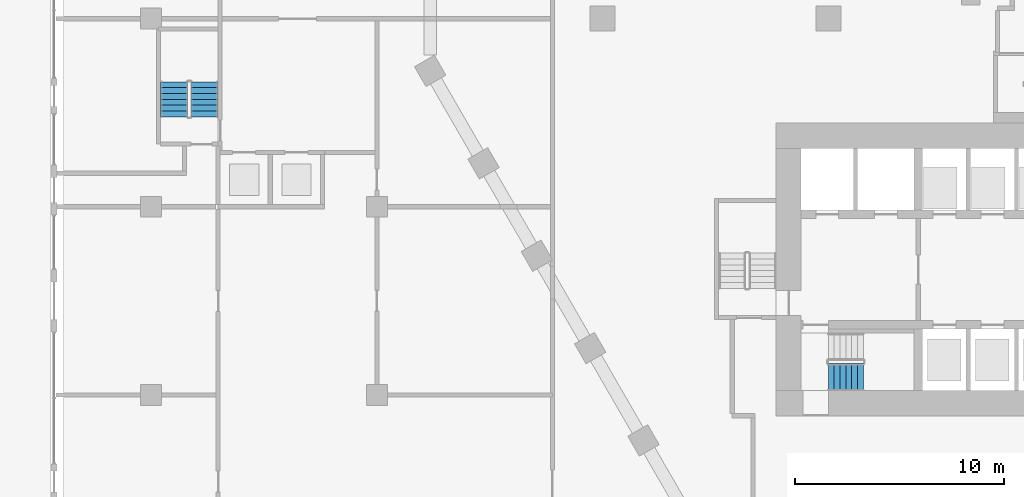
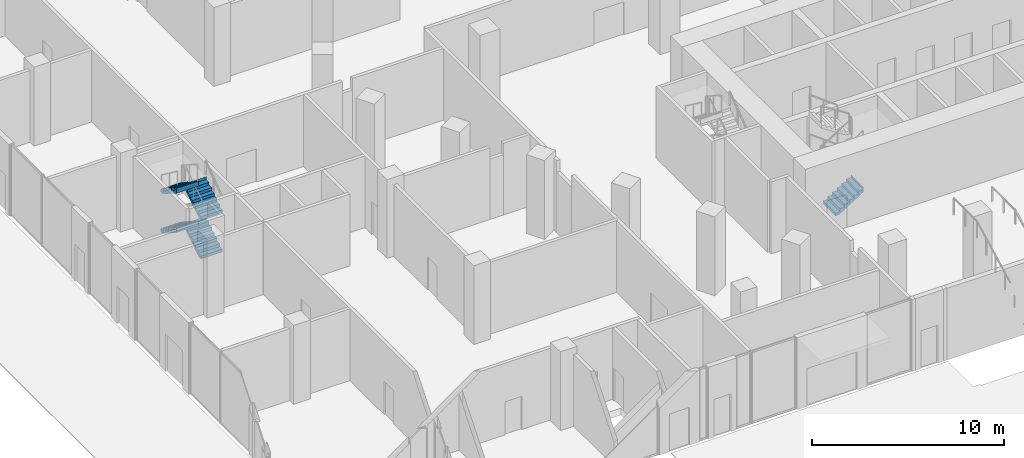
# One storey, part 40 of 57: 5 stair flights, 2 elements without a shape of their own.
"""IFC4 building model written with IfcOpenShell, lengths in metres."""

from ifc_helpers import new_model, si_unit, direction, frame, origin, place, context, subcontext, project, spatial, triangles, material, type_object, element, aggregate, save


model = new_model("IFC4")

# Units and contexts
model_context = context("Model", 3, precision=1e-05, world=origin(), true_north=direction((0.0, 1.0)))
body_context = subcontext(model_context, "Body", "Model", "MODEL_VIEW")
ifc_project = project(units=[si_unit("LENGTHUNIT", "METRE"), si_unit("AREAUNIT", "SQUARE_METRE"), si_unit("VOLUMEUNIT", "CUBIC_METRE"), si_unit("PLANEANGLEUNIT", "RADIAN"), si_unit("MASSUNIT", "GRAM", prefix="KILO")], contexts=[model_context])

# Site, building, storey
site_placement = place(None, origin())
site = spatial("IfcSite", under=ifc_project, at=site_placement, CompositionType="ELEMENT")
building_placement = place(site_placement, origin())
building = spatial("IfcBuilding", under=site, at=building_placement, Name="Beryl Residences", CompositionType="ELEMENT")
storey_placement = place(building_placement, origin())
storey = spatial("IfcBuildingStorey", under=building, at=storey_placement, Name="L00", CompositionType="ELEMENT", Elevation=0.0)

# Stair, stair flights
ifc_material_1 = material(Name="Concrete C40/50", Category="concrete")
stair_type = type_object("IfcStairType", Name="ST1 protected exit stair, half-turn, 1300 mm flights", PredefinedType="HALF_TURN_STAIR", material=ifc_material_1)
stair_1_placement = place(storey_placement, origin())
stair_1 = element("IfcStair", 1, at=stair_1_placement, inside=storey, type_object=stair_type, Name="L00 Podium exit stair 6", PredefinedType="HALF_TURN_STAIR")
ifc_material_2 = material(Name="Concrete C40/50", Category="concrete")
stair_flight_type = type_object("IfcStairFlightType", Name="SF1 stair flight 1300 mm", PredefinedType="STRAIGHT", material=ifc_material_2)
stair_flight_1_placement = place(storey_placement, frame((-40.64990234375, -4.699951171875, 0.0), z_axis=(0.0, 0.0, 1.0), x_axis=(0.0, 1.0, 0.0)))
stair_flight_1 = element("IfcStairFlight", 2, at=stair_flight_1_placement, type_object=stair_flight_type, Name="PS-6 flight 1", NumberOfRisers=7, NumberOfTreads=6, PredefinedType="STRAIGHT", RiserHeight=0.178571429, TreadLength=0.28, context=body_context, shape_type="Tessellation", body=[
    triangles([(0.0, -0.64990234375, 0.0), (0.0, -0.324951171875, 0.0), (0.0, 0.0, 0.0), (0.0, 0.324951171875, 0.0), (0.0, 0.64990234375, 0.0), (0.0, -0.64990234375, 0.178466796875), (0.0, -0.324951171875, 0.178466796875), (0.0, 0.0, 0.178466796875), (0.0, 0.324951171875, 0.178466796875), (0.0, 0.64990234375, 0.178466796875), (0.280029296875, -0.64990234375, 0.178466796875), (0.280029296875, -0.324951171875, 0.178466796875), (0.280029296875, 0.0, 0.178466796875), (0.280029296875, 0.324951171875, 0.178466796875), (0.280029296875, 0.64990234375, 0.178466796875), (0.280029296875, -0.64990234375, 0.357177734375), (0.280029296875, -0.324951171875, 0.357177734375), (0.280029296875, 0.0, 0.357177734375), (0.280029296875, 0.324951171875, 0.357177734375), (0.280029296875, 0.64990234375, 0.357177734375), (0.56005859375, -0.64990234375, 0.357177734375), (0.56005859375, -0.324951171875, 0.357177734375), (0.56005859375, 0.0, 0.357177734375), (0.56005859375, 0.324951171875, 0.357177734375), (0.56005859375, 0.64990234375, 0.357177734375), (0.56005859375, -0.64990234375, 0.53564453125), (0.56005859375, -0.324951171875, 0.53564453125), (0.56005859375, 0.0, 0.53564453125), (0.56005859375, 0.324951171875, 0.53564453125), (0.56005859375, 0.64990234375, 0.53564453125), (0.840087890625, -0.64990234375, 0.53564453125), (0.840087890625, -0.324951171875, 0.53564453125), (0.840087890625, 0.0, 0.53564453125), (0.840087890625, 0.324951171875, 0.53564453125), (0.840087890625, 0.64990234375, 0.53564453125), (0.840087890625, -0.64990234375, 0.71435546875), (0.840087890625, -0.324951171875, 0.71435546875), (0.840087890625, 0.0, 0.71435546875), (0.840087890625, 0.324951171875, 0.71435546875), (0.840087890625, 0.64990234375, 0.71435546875), (1.1201171875, -0.64990234375, 0.71435546875), (1.1201171875, -0.324951171875, 0.71435546875), (1.1201171875, 0.0, 0.71435546875), (1.1201171875, 0.324951171875, 0.71435546875), (1.1201171875, 0.64990234375, 0.71435546875), (1.1201171875, -0.64990234375, 0.892822265625), (1.1201171875, -0.324951171875, 0.892822265625), (1.1201171875, 0.0, 0.892822265625), (1.1201171875, 0.324951171875, 0.892822265625), (1.1201171875, 0.64990234375, 0.892822265625), (1.39990234375, -0.64990234375, 0.892822265625), (1.39990234375, -0.324951171875, 0.892822265625), (1.39990234375, 0.0, 0.892822265625), (1.39990234375, 0.324951171875, 0.892822265625), (1.39990234375, 0.64990234375, 0.892822265625), (1.39990234375, -0.64990234375, 1.071533203125), (1.39990234375, -0.324951171875, 1.071533203125), (1.39990234375, 0.0, 1.071533203125), (1.39990234375, 0.324951171875, 1.071533203125), (1.39990234375, 0.64990234375, 1.071533203125), (1.679931640625, -0.64990234375, 1.071533203125), (1.679931640625, -0.324951171875, 1.071533203125), (1.679931640625, 0.0, 1.071533203125), (1.679931640625, 0.324951171875, 1.071533203125), (1.679931640625, 0.64990234375, 1.071533203125), (1.679931640625, -0.64990234375, 1.25), (1.679931640625, -0.324951171875, 1.25), (1.679931640625, 0.0, 1.25), (1.679931640625, 0.324951171875, 1.25), (1.679931640625, 0.64990234375, 1.25), (1.680908203125, -0.64990234375, 1.25), (1.680908203125, -0.324951171875, 1.25), (1.680908203125, 0.0, 1.25), (1.680908203125, 0.324951171875, 1.25), (1.680908203125, 0.64990234375, 1.25), (1.680908203125, -0.64990234375, 0.928955078125), (1.680908203125, -0.324951171875, 0.928955078125), (1.680908203125, 0.0, 0.928955078125), (1.680908203125, 0.324951171875, 0.928955078125), (1.680908203125, 0.64990234375, 0.928955078125), (0.224365234375, -0.64990234375, 0.0), (0.224365234375, -0.324951171875, 0.0), (0.224365234375, 0.0, 0.0), (0.224365234375, 0.324951171875, 0.0), (0.224365234375, 0.64990234375, 0.0)], [[1, 6, 7], [1, 7, 2], [2, 7, 8], [2, 8, 3], [3, 8, 9], [3, 9, 4], [4, 9, 10], [4, 10, 5], [6, 11, 12], [6, 12, 7], [7, 12, 13], [7, 13, 8], [8, 13, 14], [8, 14, 9], [9, 14, 15], [9, 15, 10], [11, 16, 17], [11, 17, 12], [12, 17, 18], [12, 18, 13], [13, 18, 19], [13, 19, 14], [14, 19, 20], [14, 20, 15], [16, 21, 22], [16, 22, 17], [17, 22, 23], [17, 23, 18], [18, 23, 24], [18, 24, 19], [19, 24, 25], [19, 25, 20], [21, 26, 27], [21, 27, 22], [22, 27, 28], [22, 28, 23], [23, 28, 29], [23, 29, 24], [24, 29, 30], [24, 30, 25], [26, 31, 32], [26, 32, 27], [27, 32, 33], [27, 33, 28], [28, 33, 34], [28, 34, 29], [29, 34, 35], [29, 35, 30], [31, 36, 37], [31, 37, 32], [32, 37, 38], [32, 38, 33], [33, 38, 39], [33, 39, 34], [34, 39, 40], [34, 40, 35], [36, 41, 42], [36, 42, 37], [37, 42, 43], [37, 43, 38], [38, 43, 44], [38, 44, 39], [39, 44, 45], [39, 45, 40], [41, 46, 47], [41, 47, 42], [42, 47, 48], [42, 48, 43], [43, 48, 49], [43, 49, 44], [44, 49, 50], [44, 50, 45], [46, 51, 52], [46, 52, 47], [47, 52, 53], [47, 53, 48], [48, 53, 54], [48, 54, 49], [49, 54, 55], [49, 55, 50], [51, 56, 57], [51, 57, 52], [52, 57, 58], [52, 58, 53], [53, 58, 59], [53, 59, 54], [54, 59, 60], [54, 60, 55], [56, 61, 62], [56, 62, 57], [57, 62, 63], [57, 63, 58], [58, 63, 64], [58, 64, 59], [59, 64, 65], [59, 65, 60], [61, 66, 67], [61, 67, 62], [62, 67, 68], [62, 68, 63], [63, 68, 69], [63, 69, 64], [64, 69, 70], [64, 70, 65], [66, 71, 72], [66, 72, 67], [67, 72, 73], [67, 73, 68], [68, 73, 74], [68, 74, 69], [69, 74, 75], [69, 75, 70], [71, 76, 77], [71, 77, 72], [72, 77, 78], [72, 78, 73], [73, 78, 79], [73, 79, 74], [74, 79, 80], [74, 80, 75], [76, 81, 82], [76, 82, 77], [77, 82, 83], [77, 83, 78], [78, 83, 84], [78, 84, 79], [79, 84, 85], [79, 85, 80], [81, 1, 2], [81, 2, 82], [82, 2, 3], [82, 3, 83], [83, 3, 4], [83, 4, 84], [84, 4, 5], [84, 5, 85], [1, 81, 76], [5, 80, 85], [76, 71, 66], [80, 70, 75], [76, 66, 61], [80, 65, 70], [76, 61, 56], [80, 60, 65], [76, 56, 51], [80, 55, 60], [51, 46, 41], [55, 45, 50], [76, 51, 41], [80, 45, 55], [41, 36, 31], [45, 35, 40], [76, 41, 31], [80, 35, 45], [31, 26, 21], [35, 25, 30], [76, 31, 21], [80, 25, 35], [21, 16, 11], [25, 15, 20], [76, 21, 11], [80, 15, 25], [1, 76, 11], [5, 15, 80], [11, 6, 1], [15, 5, 10]], closed=True),
])
stair_flight_2_placement = place(storey_placement, frame((-42.10009765625, -3.02001953125, 1.25), z_axis=(0.0, 0.0, 1.0), x_axis=(0.0, -1.0, 0.0)))
stair_flight_2 = element("IfcStairFlight", 3, at=stair_flight_2_placement, type_object=stair_flight_type, Name="PS-6 flight 2", NumberOfRisers=7, NumberOfTreads=6, PredefinedType="STRAIGHT", RiserHeight=0.178571429, TreadLength=0.28, context=body_context, shape_type="Tessellation", body=[
    triangles([(0.0, -0.64990234375, 0.0), (0.0, -0.324951171875, 0.0), (0.0, 0.0, 0.0), (0.0, 0.324951171875, 0.0), (0.0, 0.64990234375, 0.0), (0.0, -0.64990234375, 0.178466796875), (0.0, -0.324951171875, 0.178466796875), (0.0, 0.0, 0.178466796875), (0.0, 0.324951171875, 0.178466796875), (0.0, 0.64990234375, 0.178466796875), (0.280029296875, -0.64990234375, 0.178466796875), (0.280029296875, -0.324951171875, 0.178466796875), (0.280029296875, 0.0, 0.178466796875), (0.280029296875, 0.324951171875, 0.178466796875), (0.280029296875, 0.64990234375, 0.178466796875), (0.280029296875, -0.64990234375, 0.357177734375), (0.280029296875, -0.324951171875, 0.357177734375), (0.280029296875, 0.0, 0.357177734375), (0.280029296875, 0.324951171875, 0.357177734375), (0.280029296875, 0.64990234375, 0.357177734375), (0.56005859375, -0.64990234375, 0.357177734375), (0.56005859375, -0.324951171875, 0.357177734375), (0.56005859375, 0.0, 0.357177734375), (0.56005859375, 0.324951171875, 0.357177734375), (0.56005859375, 0.64990234375, 0.357177734375), (0.56005859375, -0.64990234375, 0.53564453125), (0.56005859375, -0.324951171875, 0.53564453125), (0.56005859375, 0.0, 0.53564453125), (0.56005859375, 0.324951171875, 0.53564453125), (0.56005859375, 0.64990234375, 0.53564453125), (0.840087890625, -0.64990234375, 0.53564453125), (0.840087890625, -0.324951171875, 0.53564453125), (0.840087890625, 0.0, 0.53564453125), (0.840087890625, 0.324951171875, 0.53564453125), (0.840087890625, 0.64990234375, 0.53564453125), (0.840087890625, -0.64990234375, 0.71435546875), (0.840087890625, -0.324951171875, 0.71435546875), (0.840087890625, 0.0, 0.71435546875), (0.840087890625, 0.324951171875, 0.71435546875), (0.840087890625, 0.64990234375, 0.71435546875), (1.1201171875, -0.64990234375, 0.71435546875), (1.1201171875, -0.324951171875, 0.71435546875), (1.1201171875, 0.0, 0.71435546875), (1.1201171875, 0.324951171875, 0.71435546875), (1.1201171875, 0.64990234375, 0.71435546875), (1.1201171875, -0.64990234375, 0.892822265625), (1.1201171875, -0.324951171875, 0.892822265625), (1.1201171875, 0.0, 0.892822265625), (1.1201171875, 0.324951171875, 0.892822265625), (1.1201171875, 0.64990234375, 0.892822265625), (1.39990234375, -0.64990234375, 0.892822265625), (1.39990234375, -0.324951171875, 0.892822265625), (1.39990234375, 0.0, 0.892822265625), (1.39990234375, 0.324951171875, 0.892822265625), (1.39990234375, 0.64990234375, 0.892822265625), (1.39990234375, -0.64990234375, 1.071533203125), (1.39990234375, -0.324951171875, 1.071533203125), (1.39990234375, 0.0, 1.071533203125), (1.39990234375, 0.324951171875, 1.071533203125), (1.39990234375, 0.64990234375, 1.071533203125), (1.679931640625, -0.64990234375, 1.071533203125), (1.679931640625, -0.324951171875, 1.071533203125), (1.679931640625, 0.0, 1.071533203125), (1.679931640625, 0.324951171875, 1.071533203125), (1.679931640625, 0.64990234375, 1.071533203125), (1.679931640625, -0.64990234375, 1.25), (1.679931640625, -0.324951171875, 1.25), (1.679931640625, 0.0, 1.25), (1.679931640625, 0.324951171875, 1.25), (1.679931640625, 0.64990234375, 1.25), (1.680908203125, -0.64990234375, 1.25), (1.680908203125, -0.324951171875, 1.25), (1.680908203125, 0.0, 1.25), (1.680908203125, 0.324951171875, 1.25), (1.680908203125, 0.64990234375, 1.25), (1.680908203125, -0.64990234375, 0.928955078125), (1.680908203125, -0.324951171875, 0.928955078125), (1.680908203125, 0.0, 0.928955078125), (1.680908203125, 0.324951171875, 0.928955078125), (1.680908203125, 0.64990234375, 0.928955078125), (0.224365234375, -0.64990234375, 0.0), (0.224365234375, -0.324951171875, 0.0), (0.224365234375, 0.0, 0.0), (0.224365234375, 0.324951171875, 0.0), (0.224365234375, 0.64990234375, 0.0)], [[1, 6, 7], [1, 7, 2], [2, 7, 8], [2, 8, 3], [3, 8, 9], [3, 9, 4], [4, 9, 10], [4, 10, 5], [6, 11, 12], [6, 12, 7], [7, 12, 13], [7, 13, 8], [8, 13, 14], [8, 14, 9], [9, 14, 15], [9, 15, 10], [11, 16, 17], [11, 17, 12], [12, 17, 18], [12, 18, 13], [13, 18, 19], [13, 19, 14], [14, 19, 20], [14, 20, 15], [16, 21, 22], [16, 22, 17], [17, 22, 23], [17, 23, 18], [18, 23, 24], [18, 24, 19], [19, 24, 25], [19, 25, 20], [21, 26, 27], [21, 27, 22], [22, 27, 28], [22, 28, 23], [23, 28, 29], [23, 29, 24], [24, 29, 30], [24, 30, 25], [26, 31, 32], [26, 32, 27], [27, 32, 33], [27, 33, 28], [28, 33, 34], [28, 34, 29], [29, 34, 35], [29, 35, 30], [31, 36, 37], [31, 37, 32], [32, 37, 38], [32, 38, 33], [33, 38, 39], [33, 39, 34], [34, 39, 40], [34, 40, 35], [36, 41, 42], [36, 42, 37], [37, 42, 43], [37, 43, 38], [38, 43, 44], [38, 44, 39], [39, 44, 45], [39, 45, 40], [41, 46, 47], [41, 47, 42], [42, 47, 48], [42, 48, 43], [43, 48, 49], [43, 49, 44], [44, 49, 50], [44, 50, 45], [46, 51, 52], [46, 52, 47], [47, 52, 53], [47, 53, 48], [48, 53, 54], [48, 54, 49], [49, 54, 55], [49, 55, 50], [51, 56, 57], [51, 57, 52], [52, 57, 58], [52, 58, 53], [53, 58, 59], [53, 59, 54], [54, 59, 60], [54, 60, 55], [56, 61, 62], [56, 62, 57], [57, 62, 63], [57, 63, 58], [58, 63, 64], [58, 64, 59], [59, 64, 65], [59, 65, 60], [61, 66, 67], [61, 67, 62], [62, 67, 68], [62, 68, 63], [63, 68, 69], [63, 69, 64], [64, 69, 70], [64, 70, 65], [66, 71, 72], [66, 72, 67], [67, 72, 73], [67, 73, 68], [68, 73, 74], [68, 74, 69], [69, 74, 75], [69, 75, 70], [71, 76, 77], [71, 77, 72], [72, 77, 78], [72, 78, 73], [73, 78, 79], [73, 79, 74], [74, 79, 80], [74, 80, 75], [76, 81, 82], [76, 82, 77], [77, 82, 83], [77, 83, 78], [78, 83, 84], [78, 84, 79], [79, 84, 85], [79, 85, 80], [81, 1, 2], [81, 2, 82], [82, 2, 3], [82, 3, 83], [83, 3, 4], [83, 4, 84], [84, 4, 5], [84, 5, 85], [1, 81, 76], [5, 80, 85], [76, 71, 66], [80, 70, 75], [76, 66, 61], [80, 65, 70], [76, 61, 56], [80, 60, 65], [76, 56, 51], [80, 55, 60], [51, 46, 41], [55, 45, 50], [76, 51, 41], [80, 45, 55], [41, 36, 31], [45, 35, 40], [76, 41, 31], [80, 35, 45], [31, 26, 21], [35, 25, 30], [76, 31, 21], [80, 25, 35], [21, 16, 11], [25, 15, 20], [76, 21, 11], [80, 15, 25], [1, 76, 11], [5, 15, 80], [11, 6, 1], [15, 5, 10]], closed=True),
])
stair_flight_3_placement = place(storey_placement, frame((-40.64990234375, -4.699951171875, 2.5), z_axis=(0.0, 0.0, 1.0), x_axis=(0.0, 1.0, 0.0)))
stair_flight_3 = element("IfcStairFlight", 4, at=stair_flight_3_placement, type_object=stair_flight_type, Name="PS-6 flight 3", NumberOfRisers=7, NumberOfTreads=6, PredefinedType="STRAIGHT", RiserHeight=0.178571429, TreadLength=0.28, context=body_context, shape_type="Tessellation", body=[
    triangles([(0.0, -0.64990234375, 0.0), (0.0, -0.324951171875, 0.0), (0.0, 0.0, 0.0), (0.0, 0.324951171875, 0.0), (0.0, 0.64990234375, 0.0), (0.0, -0.64990234375, 0.178466796875), (0.0, -0.324951171875, 0.178466796875), (0.0, 0.0, 0.178466796875), (0.0, 0.324951171875, 0.178466796875), (0.0, 0.64990234375, 0.178466796875), (0.280029296875, -0.64990234375, 0.178466796875), (0.280029296875, -0.324951171875, 0.178466796875), (0.280029296875, 0.0, 0.178466796875), (0.280029296875, 0.324951171875, 0.178466796875), (0.280029296875, 0.64990234375, 0.178466796875), (0.280029296875, -0.64990234375, 0.357177734375), (0.280029296875, -0.324951171875, 0.357177734375), (0.280029296875, 0.0, 0.357177734375), (0.280029296875, 0.324951171875, 0.357177734375), (0.280029296875, 0.64990234375, 0.357177734375), (0.56005859375, -0.64990234375, 0.357177734375), (0.56005859375, -0.324951171875, 0.357177734375), (0.56005859375, 0.0, 0.357177734375), (0.56005859375, 0.324951171875, 0.357177734375), (0.56005859375, 0.64990234375, 0.357177734375), (0.56005859375, -0.64990234375, 0.53564453125), (0.56005859375, -0.324951171875, 0.53564453125), (0.56005859375, 0.0, 0.53564453125), (0.56005859375, 0.324951171875, 0.53564453125), (0.56005859375, 0.64990234375, 0.53564453125), (0.840087890625, -0.64990234375, 0.53564453125), (0.840087890625, -0.324951171875, 0.53564453125), (0.840087890625, 0.0, 0.53564453125), (0.840087890625, 0.324951171875, 0.53564453125), (0.840087890625, 0.64990234375, 0.53564453125), (0.840087890625, -0.64990234375, 0.71435546875), (0.840087890625, -0.324951171875, 0.71435546875), (0.840087890625, 0.0, 0.71435546875), (0.840087890625, 0.324951171875, 0.71435546875), (0.840087890625, 0.64990234375, 0.71435546875), (1.1201171875, -0.64990234375, 0.71435546875), (1.1201171875, -0.324951171875, 0.71435546875), (1.1201171875, 0.0, 0.71435546875), (1.1201171875, 0.324951171875, 0.71435546875), (1.1201171875, 0.64990234375, 0.71435546875), (1.1201171875, -0.64990234375, 0.892822265625), (1.1201171875, -0.324951171875, 0.892822265625), (1.1201171875, 0.0, 0.892822265625), (1.1201171875, 0.324951171875, 0.892822265625), (1.1201171875, 0.64990234375, 0.892822265625), (1.39990234375, -0.64990234375, 0.892822265625), (1.39990234375, -0.324951171875, 0.892822265625), (1.39990234375, 0.0, 0.892822265625), (1.39990234375, 0.324951171875, 0.892822265625), (1.39990234375, 0.64990234375, 0.892822265625), (1.39990234375, -0.64990234375, 1.071533203125), (1.39990234375, -0.324951171875, 1.071533203125), (1.39990234375, 0.0, 1.071533203125), (1.39990234375, 0.324951171875, 1.071533203125), (1.39990234375, 0.64990234375, 1.071533203125), (1.679931640625, -0.64990234375, 1.071533203125), (1.679931640625, -0.324951171875, 1.071533203125), (1.679931640625, 0.0, 1.071533203125), (1.679931640625, 0.324951171875, 1.071533203125), (1.679931640625, 0.64990234375, 1.071533203125), (1.679931640625, -0.64990234375, 1.25), (1.679931640625, -0.324951171875, 1.25), (1.679931640625, 0.0, 1.25), (1.679931640625, 0.324951171875, 1.25), (1.679931640625, 0.64990234375, 1.25), (1.680908203125, -0.64990234375, 1.25), (1.680908203125, -0.324951171875, 1.25), (1.680908203125, 0.0, 1.25), (1.680908203125, 0.324951171875, 1.25), (1.680908203125, 0.64990234375, 1.25), (1.680908203125, -0.64990234375, 0.928955078125), (1.680908203125, -0.324951171875, 0.928955078125), (1.680908203125, 0.0, 0.928955078125), (1.680908203125, 0.324951171875, 0.928955078125), (1.680908203125, 0.64990234375, 0.928955078125), (0.224365234375, -0.64990234375, 0.0), (0.224365234375, -0.324951171875, 0.0), (0.224365234375, 0.0, 0.0), (0.224365234375, 0.324951171875, 0.0), (0.224365234375, 0.64990234375, 0.0)], [[1, 6, 7], [1, 7, 2], [2, 7, 8], [2, 8, 3], [3, 8, 9], [3, 9, 4], [4, 9, 10], [4, 10, 5], [6, 11, 12], [6, 12, 7], [7, 12, 13], [7, 13, 8], [8, 13, 14], [8, 14, 9], [9, 14, 15], [9, 15, 10], [11, 16, 17], [11, 17, 12], [12, 17, 18], [12, 18, 13], [13, 18, 19], [13, 19, 14], [14, 19, 20], [14, 20, 15], [16, 21, 22], [16, 22, 17], [17, 22, 23], [17, 23, 18], [18, 23, 24], [18, 24, 19], [19, 24, 25], [19, 25, 20], [21, 26, 27], [21, 27, 22], [22, 27, 28], [22, 28, 23], [23, 28, 29], [23, 29, 24], [24, 29, 30], [24, 30, 25], [26, 31, 32], [26, 32, 27], [27, 32, 33], [27, 33, 28], [28, 33, 34], [28, 34, 29], [29, 34, 35], [29, 35, 30], [31, 36, 37], [31, 37, 32], [32, 37, 38], [32, 38, 33], [33, 38, 39], [33, 39, 34], [34, 39, 40], [34, 40, 35], [36, 41, 42], [36, 42, 37], [37, 42, 43], [37, 43, 38], [38, 43, 44], [38, 44, 39], [39, 44, 45], [39, 45, 40], [41, 46, 47], [41, 47, 42], [42, 47, 48], [42, 48, 43], [43, 48, 49], [43, 49, 44], [44, 49, 50], [44, 50, 45], [46, 51, 52], [46, 52, 47], [47, 52, 53], [47, 53, 48], [48, 53, 54], [48, 54, 49], [49, 54, 55], [49, 55, 50], [51, 56, 57], [51, 57, 52], [52, 57, 58], [52, 58, 53], [53, 58, 59], [53, 59, 54], [54, 59, 60], [54, 60, 55], [56, 61, 62], [56, 62, 57], [57, 62, 63], [57, 63, 58], [58, 63, 64], [58, 64, 59], [59, 64, 65], [59, 65, 60], [61, 66, 67], [61, 67, 62], [62, 67, 68], [62, 68, 63], [63, 68, 69], [63, 69, 64], [64, 69, 70], [64, 70, 65], [66, 71, 72], [66, 72, 67], [67, 72, 73], [67, 73, 68], [68, 73, 74], [68, 74, 69], [69, 74, 75], [69, 75, 70], [71, 76, 77], [71, 77, 72], [72, 77, 78], [72, 78, 73], [73, 78, 79], [73, 79, 74], [74, 79, 80], [74, 80, 75], [76, 81, 82], [76, 82, 77], [77, 82, 83], [77, 83, 78], [78, 83, 84], [78, 84, 79], [79, 84, 85], [79, 85, 80], [81, 1, 2], [81, 2, 82], [82, 2, 3], [82, 3, 83], [83, 3, 4], [83, 4, 84], [84, 4, 5], [84, 5, 85], [1, 81, 76], [5, 80, 85], [76, 71, 66], [80, 70, 75], [76, 66, 61], [80, 65, 70], [76, 61, 56], [80, 60, 65], [76, 56, 51], [80, 55, 60], [51, 46, 41], [55, 45, 50], [76, 51, 41], [80, 45, 55], [41, 36, 31], [45, 35, 40], [76, 41, 31], [80, 35, 45], [31, 26, 21], [35, 25, 30], [76, 31, 21], [80, 25, 35], [21, 16, 11], [25, 15, 20], [76, 21, 11], [80, 15, 25], [1, 76, 11], [5, 15, 80], [11, 6, 1], [15, 5, 10]], closed=True),
])
stair_flight_4_placement = place(storey_placement, frame((-42.10009765625, -3.02001953125, 3.75), z_axis=(0.0, 0.0, 1.0), x_axis=(0.0, -1.0, 0.0)))
stair_flight_4 = element("IfcStairFlight", 5, at=stair_flight_4_placement, type_object=stair_flight_type, Name="PS-6 flight 4", NumberOfRisers=7, NumberOfTreads=6, PredefinedType="STRAIGHT", RiserHeight=0.178571429, TreadLength=0.28, context=body_context, shape_type="Tessellation", body=[
    triangles([(0.0, -0.64990234375, 0.0), (0.0, -0.324951171875, 0.0), (0.0, 0.0, 0.0), (0.0, 0.324951171875, 0.0), (0.0, 0.64990234375, 0.0), (0.0, -0.64990234375, 0.178466796875), (0.0, -0.324951171875, 0.178466796875), (0.0, 0.0, 0.178466796875), (0.0, 0.324951171875, 0.178466796875), (0.0, 0.64990234375, 0.178466796875), (0.280029296875, -0.64990234375, 0.178466796875), (0.280029296875, -0.324951171875, 0.178466796875), (0.280029296875, 0.0, 0.178466796875), (0.280029296875, 0.324951171875, 0.178466796875), (0.280029296875, 0.64990234375, 0.178466796875), (0.280029296875, -0.64990234375, 0.357177734375), (0.280029296875, -0.324951171875, 0.357177734375), (0.280029296875, 0.0, 0.357177734375), (0.280029296875, 0.324951171875, 0.357177734375), (0.280029296875, 0.64990234375, 0.357177734375), (0.56005859375, -0.64990234375, 0.357177734375), (0.56005859375, -0.324951171875, 0.357177734375), (0.56005859375, 0.0, 0.357177734375), (0.56005859375, 0.324951171875, 0.357177734375), (0.56005859375, 0.64990234375, 0.357177734375), (0.56005859375, -0.64990234375, 0.53564453125), (0.56005859375, -0.324951171875, 0.53564453125), (0.56005859375, 0.0, 0.53564453125), (0.56005859375, 0.324951171875, 0.53564453125), (0.56005859375, 0.64990234375, 0.53564453125), (0.840087890625, -0.64990234375, 0.53564453125), (0.840087890625, -0.324951171875, 0.53564453125), (0.840087890625, 0.0, 0.53564453125), (0.840087890625, 0.324951171875, 0.53564453125), (0.840087890625, 0.64990234375, 0.53564453125), (0.840087890625, -0.64990234375, 0.71435546875), (0.840087890625, -0.324951171875, 0.71435546875), (0.840087890625, 0.0, 0.71435546875), (0.840087890625, 0.324951171875, 0.71435546875), (0.840087890625, 0.64990234375, 0.71435546875), (1.1201171875, -0.64990234375, 0.71435546875), (1.1201171875, -0.324951171875, 0.71435546875), (1.1201171875, 0.0, 0.71435546875), (1.1201171875, 0.324951171875, 0.71435546875), (1.1201171875, 0.64990234375, 0.71435546875), (1.1201171875, -0.64990234375, 0.892822265625), (1.1201171875, -0.324951171875, 0.892822265625), (1.1201171875, 0.0, 0.892822265625), (1.1201171875, 0.324951171875, 0.892822265625), (1.1201171875, 0.64990234375, 0.892822265625), (1.39990234375, -0.64990234375, 0.892822265625), (1.39990234375, -0.324951171875, 0.892822265625), (1.39990234375, 0.0, 0.892822265625), (1.39990234375, 0.324951171875, 0.892822265625), (1.39990234375, 0.64990234375, 0.892822265625), (1.39990234375, -0.64990234375, 1.071533203125), (1.39990234375, -0.324951171875, 1.071533203125), (1.39990234375, 0.0, 1.071533203125), (1.39990234375, 0.324951171875, 1.071533203125), (1.39990234375, 0.64990234375, 1.071533203125), (1.679931640625, -0.64990234375, 1.071533203125), (1.679931640625, -0.324951171875, 1.071533203125), (1.679931640625, 0.0, 1.071533203125), (1.679931640625, 0.324951171875, 1.071533203125), (1.679931640625, 0.64990234375, 1.071533203125), (1.679931640625, -0.64990234375, 1.25), (1.679931640625, -0.324951171875, 1.25), (1.679931640625, 0.0, 1.25), (1.679931640625, 0.324951171875, 1.25), (1.679931640625, 0.64990234375, 1.25), (1.680908203125, -0.64990234375, 1.25), (1.680908203125, -0.324951171875, 1.25), (1.680908203125, 0.0, 1.25), (1.680908203125, 0.324951171875, 1.25), (1.680908203125, 0.64990234375, 1.25), (1.680908203125, -0.64990234375, 0.928955078125), (1.680908203125, -0.324951171875, 0.928955078125), (1.680908203125, 0.0, 0.928955078125), (1.680908203125, 0.324951171875, 0.928955078125), (1.680908203125, 0.64990234375, 0.928955078125), (0.224365234375, -0.64990234375, 0.0), (0.224365234375, -0.324951171875, 0.0), (0.224365234375, 0.0, 0.0), (0.224365234375, 0.324951171875, 0.0), (0.224365234375, 0.64990234375, 0.0)], [[1, 6, 7], [1, 7, 2], [2, 7, 8], [2, 8, 3], [3, 8, 9], [3, 9, 4], [4, 9, 10], [4, 10, 5], [6, 11, 12], [6, 12, 7], [7, 12, 13], [7, 13, 8], [8, 13, 14], [8, 14, 9], [9, 14, 15], [9, 15, 10], [11, 16, 17], [11, 17, 12], [12, 17, 18], [12, 18, 13], [13, 18, 19], [13, 19, 14], [14, 19, 20], [14, 20, 15], [16, 21, 22], [16, 22, 17], [17, 22, 23], [17, 23, 18], [18, 23, 24], [18, 24, 19], [19, 24, 25], [19, 25, 20], [21, 26, 27], [21, 27, 22], [22, 27, 28], [22, 28, 23], [23, 28, 29], [23, 29, 24], [24, 29, 30], [24, 30, 25], [26, 31, 32], [26, 32, 27], [27, 32, 33], [27, 33, 28], [28, 33, 34], [28, 34, 29], [29, 34, 35], [29, 35, 30], [31, 36, 37], [31, 37, 32], [32, 37, 38], [32, 38, 33], [33, 38, 39], [33, 39, 34], [34, 39, 40], [34, 40, 35], [36, 41, 42], [36, 42, 37], [37, 42, 43], [37, 43, 38], [38, 43, 44], [38, 44, 39], [39, 44, 45], [39, 45, 40], [41, 46, 47], [41, 47, 42], [42, 47, 48], [42, 48, 43], [43, 48, 49], [43, 49, 44], [44, 49, 50], [44, 50, 45], [46, 51, 52], [46, 52, 47], [47, 52, 53], [47, 53, 48], [48, 53, 54], [48, 54, 49], [49, 54, 55], [49, 55, 50], [51, 56, 57], [51, 57, 52], [52, 57, 58], [52, 58, 53], [53, 58, 59], [53, 59, 54], [54, 59, 60], [54, 60, 55], [56, 61, 62], [56, 62, 57], [57, 62, 63], [57, 63, 58], [58, 63, 64], [58, 64, 59], [59, 64, 65], [59, 65, 60], [61, 66, 67], [61, 67, 62], [62, 67, 68], [62, 68, 63], [63, 68, 69], [63, 69, 64], [64, 69, 70], [64, 70, 65], [66, 71, 72], [66, 72, 67], [67, 72, 73], [67, 73, 68], [68, 73, 74], [68, 74, 69], [69, 74, 75], [69, 75, 70], [71, 76, 77], [71, 77, 72], [72, 77, 78], [72, 78, 73], [73, 78, 79], [73, 79, 74], [74, 79, 80], [74, 80, 75], [76, 81, 82], [76, 82, 77], [77, 82, 83], [77, 83, 78], [78, 83, 84], [78, 84, 79], [79, 84, 85], [79, 85, 80], [81, 1, 2], [81, 2, 82], [82, 2, 3], [82, 3, 83], [83, 3, 4], [83, 4, 84], [84, 4, 5], [84, 5, 85], [1, 81, 76], [5, 80, 85], [76, 71, 66], [80, 70, 75], [76, 66, 61], [80, 65, 70], [76, 61, 56], [80, 60, 65], [76, 56, 51], [80, 55, 60], [51, 46, 41], [55, 45, 50], [76, 51, 41], [80, 45, 55], [41, 36, 31], [45, 35, 40], [76, 41, 31], [80, 35, 45], [31, 26, 21], [35, 25, 30], [76, 31, 21], [80, 25, 35], [21, 16, 11], [25, 15, 20], [76, 21, 11], [80, 15, 25], [1, 76, 11], [5, 15, 80], [11, 6, 1], [15, 5, 10]], closed=True),
])
aggregate(stair_1, [stair_flight_1, stair_flight_2, stair_flight_3, stair_flight_4])

# Stair, stair flight
stair_2_placement = place(storey_placement, origin())
stair_2 = element("IfcStair", 6, at=stair_2_placement, inside=storey, type_object=stair_type, Name="L00 PROTECTED EXIT STAIR ST-1", PredefinedType="HALF_TURN_STAIR")
stair_flight_5_placement = place(storey_placement, frame((-10.800048828125, -17.14990234375, 0.0), z_axis=(0.0, 0.0, 1.0), x_axis=(1.0, 0.0, 0.0)))
stair_flight_5 = element("IfcStairFlight", 7, at=stair_flight_5_placement, type_object=stair_flight_type, Name="ST-1 flight 1", NumberOfRisers=7, NumberOfTreads=6, PredefinedType="STRAIGHT", RiserHeight=0.178571429, TreadLength=0.28, context=body_context, shape_type="Tessellation", body=[
    triangles([(0.0, -0.64990234375, 0.0), (0.0, -0.324951171875, 0.0), (0.0, 0.0, 0.0), (0.0, 0.324951171875, 0.0), (0.0, 0.64990234375, 0.0), (0.0, -0.64990234375, 0.178466796875), (0.0, -0.324951171875, 0.178466796875), (0.0, 0.0, 0.178466796875), (0.0, 0.324951171875, 0.178466796875), (0.0, 0.64990234375, 0.178466796875), (0.280029296875, -0.64990234375, 0.178466796875), (0.280029296875, -0.324951171875, 0.178466796875), (0.280029296875, 0.0, 0.178466796875), (0.280029296875, 0.324951171875, 0.178466796875), (0.280029296875, 0.64990234375, 0.178466796875), (0.280029296875, -0.64990234375, 0.357177734375), (0.280029296875, -0.324951171875, 0.357177734375), (0.280029296875, 0.0, 0.357177734375), (0.280029296875, 0.324951171875, 0.357177734375), (0.280029296875, 0.64990234375, 0.357177734375), (0.56005859375, -0.64990234375, 0.357177734375), (0.56005859375, -0.324951171875, 0.357177734375), (0.56005859375, 0.0, 0.357177734375), (0.56005859375, 0.324951171875, 0.357177734375), (0.56005859375, 0.64990234375, 0.357177734375), (0.56005859375, -0.64990234375, 0.53564453125), (0.56005859375, -0.324951171875, 0.53564453125), (0.56005859375, 0.0, 0.53564453125), (0.56005859375, 0.324951171875, 0.53564453125), (0.56005859375, 0.64990234375, 0.53564453125), (0.840087890625, -0.64990234375, 0.53564453125), (0.840087890625, -0.324951171875, 0.53564453125), (0.840087890625, 0.0, 0.53564453125), (0.840087890625, 0.324951171875, 0.53564453125), (0.840087890625, 0.64990234375, 0.53564453125), (0.840087890625, -0.64990234375, 0.71435546875), (0.840087890625, -0.324951171875, 0.71435546875), (0.840087890625, 0.0, 0.71435546875), (0.840087890625, 0.324951171875, 0.71435546875), (0.840087890625, 0.64990234375, 0.71435546875), (1.1201171875, -0.64990234375, 0.71435546875), (1.1201171875, -0.324951171875, 0.71435546875), (1.1201171875, 0.0, 0.71435546875), (1.1201171875, 0.324951171875, 0.71435546875), (1.1201171875, 0.64990234375, 0.71435546875), (1.1201171875, -0.64990234375, 0.892822265625), (1.1201171875, -0.324951171875, 0.892822265625), (1.1201171875, 0.0, 0.892822265625), (1.1201171875, 0.324951171875, 0.892822265625), (1.1201171875, 0.64990234375, 0.892822265625), (1.39990234375, -0.64990234375, 0.892822265625), (1.39990234375, -0.324951171875, 0.892822265625), (1.39990234375, 0.0, 0.892822265625), (1.39990234375, 0.324951171875, 0.892822265625), (1.39990234375, 0.64990234375, 0.892822265625), (1.39990234375, -0.64990234375, 1.071533203125), (1.39990234375, -0.324951171875, 1.071533203125), (1.39990234375, 0.0, 1.071533203125), (1.39990234375, 0.324951171875, 1.071533203125), (1.39990234375, 0.64990234375, 1.071533203125), (1.679931640625, -0.64990234375, 1.071533203125), (1.679931640625, -0.324951171875, 1.071533203125), (1.679931640625, 0.0, 1.071533203125), (1.679931640625, 0.324951171875, 1.071533203125), (1.679931640625, 0.64990234375, 1.071533203125), (1.679931640625, -0.64990234375, 1.25), (1.679931640625, -0.324951171875, 1.25), (1.679931640625, 0.0, 1.25), (1.679931640625, 0.324951171875, 1.25), (1.679931640625, 0.64990234375, 1.25), (1.680908203125, -0.64990234375, 1.25), (1.680908203125, -0.324951171875, 1.25), (1.680908203125, 0.0, 1.25), (1.680908203125, 0.324951171875, 1.25), (1.680908203125, 0.64990234375, 1.25), (1.680908203125, -0.64990234375, 0.928955078125), (1.680908203125, -0.324951171875, 0.928955078125), (1.680908203125, 0.0, 0.928955078125), (1.680908203125, 0.324951171875, 0.928955078125), (1.680908203125, 0.64990234375, 0.928955078125), (0.224365234375, -0.64990234375, 0.0), (0.224365234375, -0.324951171875, 0.0), (0.224365234375, 0.0, 0.0), (0.224365234375, 0.324951171875, 0.0), (0.224365234375, 0.64990234375, 0.0)], [[1, 6, 7], [1, 7, 2], [2, 7, 8], [2, 8, 3], [3, 8, 9], [3, 9, 4], [4, 9, 10], [4, 10, 5], [6, 11, 12], [6, 12, 7], [7, 12, 13], [7, 13, 8], [8, 13, 14], [8, 14, 9], [9, 14, 15], [9, 15, 10], [11, 16, 17], [11, 17, 12], [12, 17, 18], [12, 18, 13], [13, 18, 19], [13, 19, 14], [14, 19, 20], [14, 20, 15], [16, 21, 22], [16, 22, 17], [17, 22, 23], [17, 23, 18], [18, 23, 24], [18, 24, 19], [19, 24, 25], [19, 25, 20], [21, 26, 27], [21, 27, 22], [22, 27, 28], [22, 28, 23], [23, 28, 29], [23, 29, 24], [24, 29, 30], [24, 30, 25], [26, 31, 32], [26, 32, 27], [27, 32, 33], [27, 33, 28], [28, 33, 34], [28, 34, 29], [29, 34, 35], [29, 35, 30], [31, 36, 37], [31, 37, 32], [32, 37, 38], [32, 38, 33], [33, 38, 39], [33, 39, 34], [34, 39, 40], [34, 40, 35], [36, 41, 42], [36, 42, 37], [37, 42, 43], [37, 43, 38], [38, 43, 44], [38, 44, 39], [39, 44, 45], [39, 45, 40], [41, 46, 47], [41, 47, 42], [42, 47, 48], [42, 48, 43], [43, 48, 49], [43, 49, 44], [44, 49, 50], [44, 50, 45], [46, 51, 52], [46, 52, 47], [47, 52, 53], [47, 53, 48], [48, 53, 54], [48, 54, 49], [49, 54, 55], [49, 55, 50], [51, 56, 57], [51, 57, 52], [52, 57, 58], [52, 58, 53], [53, 58, 59], [53, 59, 54], [54, 59, 60], [54, 60, 55], [56, 61, 62], [56, 62, 57], [57, 62, 63], [57, 63, 58], [58, 63, 64], [58, 64, 59], [59, 64, 65], [59, 65, 60], [61, 66, 67], [61, 67, 62], [62, 67, 68], [62, 68, 63], [63, 68, 69], [63, 69, 64], [64, 69, 70], [64, 70, 65], [66, 71, 72], [66, 72, 67], [67, 72, 73], [67, 73, 68], [68, 73, 74], [68, 74, 69], [69, 74, 75], [69, 75, 70], [71, 76, 77], [71, 77, 72], [72, 77, 78], [72, 78, 73], [73, 78, 79], [73, 79, 74], [74, 79, 80], [74, 80, 75], [76, 81, 82], [76, 82, 77], [77, 82, 83], [77, 83, 78], [78, 83, 84], [78, 84, 79], [79, 84, 85], [79, 85, 80], [81, 1, 2], [81, 2, 82], [82, 2, 3], [82, 3, 83], [83, 3, 4], [83, 4, 84], [84, 4, 5], [84, 5, 85], [1, 81, 76], [5, 80, 85], [76, 71, 66], [80, 70, 75], [76, 66, 61], [80, 65, 70], [76, 61, 56], [80, 60, 65], [76, 56, 51], [80, 55, 60], [51, 46, 41], [55, 45, 50], [76, 51, 41], [80, 45, 55], [41, 36, 31], [45, 35, 40], [76, 41, 31], [80, 35, 45], [31, 26, 21], [35, 25, 30], [76, 31, 21], [80, 25, 35], [21, 16, 11], [25, 15, 20], [76, 21, 11], [80, 15, 25], [1, 76, 11], [5, 15, 80], [11, 6, 1], [15, 5, 10]], closed=True),
])
aggregate(stair_2, [stair_flight_5])

save(model, "model.ifc")
